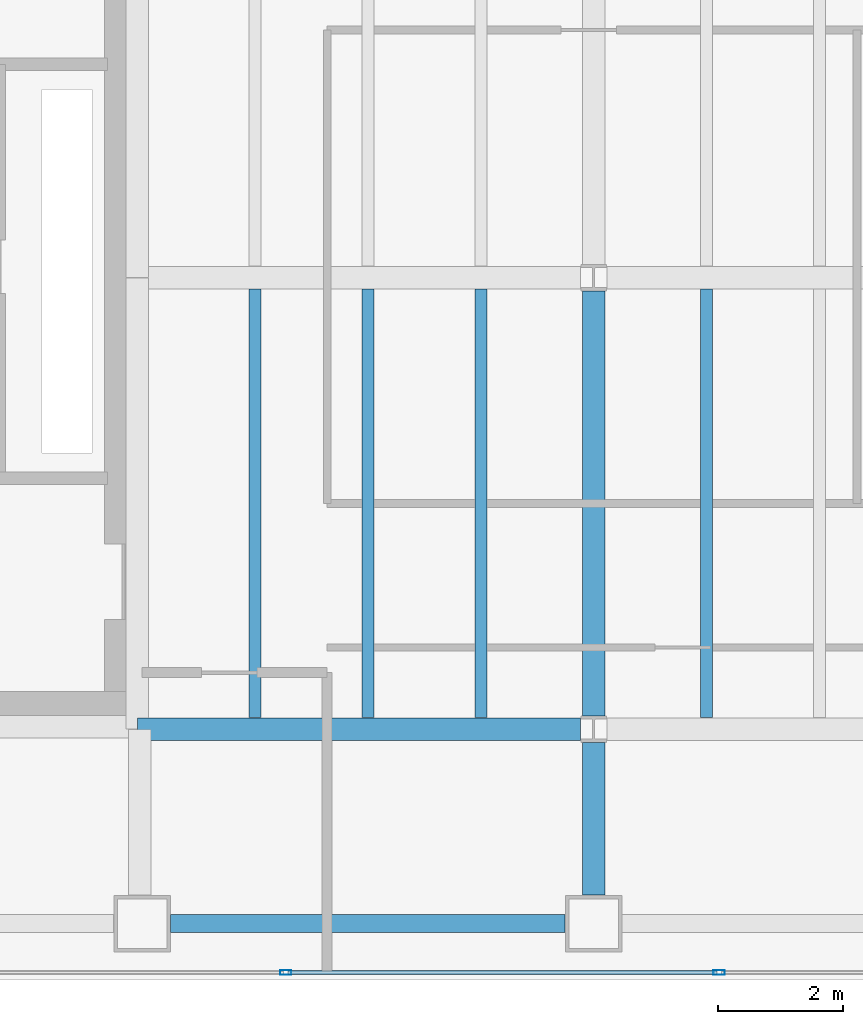
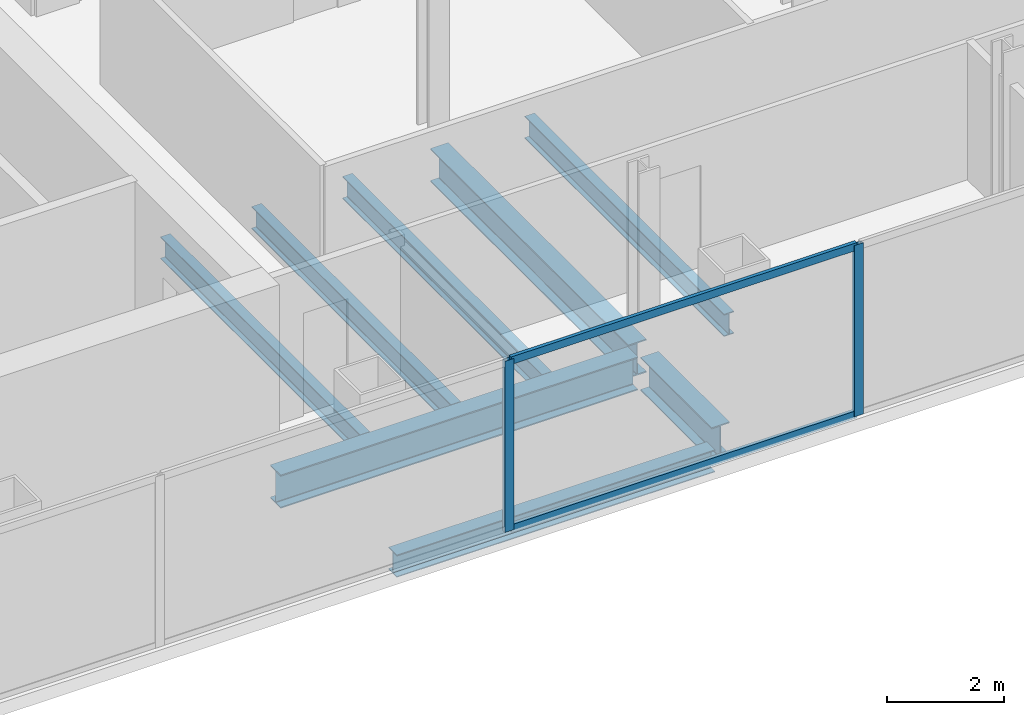
# One storey, part 4 of 24: 8 beams, 4 members, 1 element without a shape of its own.
"""IFC4 building model written with IfcOpenShell, lengths in metres."""

from ifc_helpers import new_model, si_unit, direction, frame, origin, origin_2d, place, context, subcontext, project, spatial, hollow_rectangle, i_section, extrude, material, material_profile, profile_set, type_object, element, aggregate, save


model = new_model("IFC4")

# Units and contexts
model_context = context("Model", 3, precision=1e-05, world=origin(), true_north=direction((0.0, 1.0)))
body_context = subcontext(model_context, "Body", "Model", "MODEL_VIEW")
ifc_project = project(units=[si_unit("LENGTHUNIT", "METRE"), si_unit("AREAUNIT", "SQUARE_METRE"), si_unit("VOLUMEUNIT", "CUBIC_METRE"), si_unit("PLANEANGLEUNIT", "RADIAN"), si_unit("MASSUNIT", "GRAM", prefix="KILO")], contexts=[model_context])

# Site, building, storey
site_placement = place(None, origin())
site = spatial("IfcSite", under=ifc_project, at=site_placement, CompositionType="ELEMENT")
building_placement = place(site_placement, origin())
building = spatial("IfcBuilding", under=site, at=building_placement, Name="Cobrela Telecom Tower", CompositionType="ELEMENT")
storey_placement = place(building_placement, frame((0.0, 0.0, 121.449951171875)))
storey = spatial("IfcBuildingStorey", under=building, at=storey_placement, Name="L30", CompositionType="ELEMENT", Elevation=121.449951171875)

# Beams
ifc_material_1 = material(Name="Steel ASTM A992 Grade 50", Category="steel")
ifc_material_profile_1 = material_profile(ifc_material_1, i_section(OverallWidth=0.35595703125, OverallDepth=0.696044921875, WebThickness=0.015380859375, FlangeThickness=0.024658203125, FilletRadius=0.01806640625, at=origin_2d()), Name="W27X146")
ifc_profile_set_1 = profile_set([ifc_material_profile_1], Name="Steel ASTM A992 Grade 50")
beam_type_1 = type_object("IfcBeamType", Name="BM-GIRD-05", PredefinedType="USERDEFINED", material=ifc_profile_set_1)
beam_1_placement = place(storey_placement, frame((14.324951171875, 7.199951171875, -0.617919921875), z_axis=(1.0, 0.0, 0.0), x_axis=(0.0, 1.0, 0.0)))
element("IfcBeam", 1, at=beam_1_placement, inside=storey, type_object=beam_type_1, Name="L30 Primary Girder X08", ObjectType="GIRDER", PredefinedType="USERDEFINED", context=body_context, shape_type="SweptSolid", body=[
    extrude(i_section(OverallWidth=0.35595703125, OverallDepth=0.696044921875, WebThickness=0.015380859375, FlangeThickness=0.024658203125, FilletRadius=0.01806640625, at=origin_2d()), origin(), (0.0, 0.0, 1.0), 7.0654296875),
])
beam_2_placement = place(storey_placement, frame((21.60009765625, 4.554931640625, -0.617919921875), z_axis=(0.0, 1.0, 0.0), x_axis=(-1.0, 0.0, 0.0)))
element("IfcBeam", 2, at=beam_2_placement, inside=storey, type_object=beam_type_1, Name="L30 Primary Girder Y39", ObjectType="GIRDER", PredefinedType="USERDEFINED", context=body_context, shape_type="SweptSolid", body=[
    extrude(i_section(OverallWidth=0.35595703125, OverallDepth=0.696044921875, WebThickness=0.015380859375, FlangeThickness=0.024658203125, FilletRadius=0.01806640625, at=origin_2d()), origin(), (0.0, 0.0, 1.0), 2.435546875),
])
beam_3_placement = place(storey_placement, frame((21.60009765625, 7.409423828125, -0.617919921875), z_axis=(0.0, 1.0, 0.0), x_axis=(-1.0, 0.0, 0.0)))
element("IfcBeam", 3, at=beam_3_placement, inside=storey, type_object=beam_type_1, Name="L30 Primary Girder Y40", ObjectType="GIRDER", PredefinedType="USERDEFINED", context=body_context, shape_type="SweptSolid", body=[
    extrude(i_section(OverallWidth=0.35595703125, OverallDepth=0.696044921875, WebThickness=0.015380859375, FlangeThickness=0.024658203125, FilletRadius=0.01806640625, at=origin_2d()), origin(), (0.0, 0.0, 1.0), 6.781005859375),
])
ifc_material_profile_2 = material_profile(ifc_material_1, i_section(OverallWidth=0.193115234375, OverallDepth=0.467041015625, WebThickness=0.011474609375, FlangeThickness=0.01904296875, FilletRadius=0.012939453125, at=origin_2d()), Name="W18X65")
ifc_profile_set_2 = profile_set([ifc_material_profile_2], Name="Steel ASTM A992 Grade 50")
beam_type_2 = type_object("IfcBeamType", Name="BM-JOIST-03", PredefinedType="JOIST", material=ifc_profile_set_2)
for number, where, z_axis, x_axis, name in (
    (4, (16.199951171875, 7.383056640625, -0.50341796875), (0.0, 1.0, 0.0), (-1.0, 0.0, 0.0), "L30 Secondary Composite Floor Beam J04"),
    (5, (18.0, 7.383056640625, -0.50341796875), (0.0, 1.0, 0.0), (-1.0, 0.0, 0.0), "L30 Secondary Composite Floor Beam J09"),
    (6, (19.800048828125, 7.383056640625, -0.50341796875), (0.0, 1.0, 0.0), (-1.0, 0.0, 0.0), "L30 Secondary Composite Floor Beam J14"),
    (7, (23.39990234375, 7.383056640625, -0.50341796875), (0.0, 1.0, 0.0), (-1.0, 0.0, 0.0), "L30 Secondary Composite Floor Beam J19"),
):
    element("IfcBeam", number, at=place(storey_placement, frame(where, z_axis=z_axis, x_axis=x_axis)), inside=storey, type_object=beam_type_2, Name=name, PredefinedType="JOIST", context=body_context, shape_type="SweptSolid", body=[
        extrude(i_section(OverallWidth=0.193115234375, OverallDepth=0.467041015625, WebThickness=0.011474609375, FlangeThickness=0.01904296875, FilletRadius=0.012939453125, at=origin_2d()), origin(), (0.0, 0.0, 1.0), 6.833984375),
    ])
ifc_material_profile_3 = material_profile(ifc_material_1, i_section(OverallWidth=0.281982421875, OverallDepth=0.467041015625, WebThickness=0.01220703125, FlangeThickness=0.01953125, FilletRadius=0.012939453125, at=origin_2d()), Name="W18X86")
ifc_profile_set_3 = profile_set([ifc_material_profile_3], Name="Steel ASTM A992 Grade 50")
beam_type_3 = type_object("IfcBeamType", Name="BM-SPAND-04", PredefinedType="SPANDREL", material=ifc_profile_set_3)
beam_4_placement = place(storey_placement, frame((14.85498046875, 4.10009765625, -0.50341796875), z_axis=(1.0, 0.0, 0.0), x_axis=(0.0, 1.0, 0.0)))
element("IfcBeam", 8, at=beam_4_placement, inside=storey, type_object=beam_type_3, Name="L30 Perimeter Spandrel X02", PredefinedType="SPANDREL", context=body_context, shape_type="SweptSolid", body=[
    extrude(i_section(OverallWidth=0.281982421875, OverallDepth=0.467041015625, WebThickness=0.01220703125, FlangeThickness=0.01953125, FilletRadius=0.012939453125, at=origin_2d()), origin(), (0.0, 0.0, 1.0), 6.2900390625),
])

# Curtain wall, members
ifc_material_2 = material(Name="Anodized Bronze Aluminium 6063-T6", Category="aluminium")
curtain_wall_type = type_object("IfcCurtainWallType", Name="CW-SYS-TEL", PredefinedType="USERDEFINED", material=ifc_material_2)
curtain_wall_placement = place(storey_placement, origin())
curtain_wall = element("IfcCurtainWall", 9, at=curtain_wall_placement, inside=storey, type_object=curtain_wall_type, Name="L30 Unitised Bronze Curtain Wall 17", ObjectType="UNITISED CURTAIN WALL", PredefinedType="USERDEFINED")
ifc_material_profile_4 = material_profile(ifc_material_2, hollow_rectangle(XDim=0.074951171875, YDim=0.179931640625, WallThickness=0.00390625, at=origin_2d()), Name="ALU 75x180x4")
ifc_profile_set_4 = profile_set([ifc_material_profile_4], Name="Anodized Bronze Aluminium 6063-T6")
member_type_1 = type_object("IfcMemberType", Name="CW-SYS-TEL-MUL", PredefinedType="MULLION", material=ifc_profile_set_4)
member_1_placement = place(storey_placement, frame((23.60009765625, 3.320068359375, 0.0), z_axis=(0.0, 0.0, 1.0), x_axis=(0.0, -1.0, 0.0)))
member_1 = element("IfcMember", 10, at=member_1_placement, type_object=member_type_1, Name="CW-TEL mullion 4", PredefinedType="MULLION", context=body_context, shape_type="SweptSolid", body=[
    extrude(hollow_rectangle(XDim=0.074951171875, YDim=0.179931640625, WallThickness=0.00390625, at=origin_2d()), origin(), (0.0, 0.0, 1.0), 3.580078125),
])
member_2_placement = place(storey_placement, frame((16.68994140625, 3.320068359375, 0.0), z_axis=(0.0, 0.0, 1.0), x_axis=(0.0, -1.0, 0.0)))
member_2 = element("IfcMember", 11, at=member_2_placement, type_object=member_type_1, Name="CW-TEL mullion 5", PredefinedType="MULLION", context=body_context, shape_type="SweptSolid", body=[
    extrude(hollow_rectangle(XDim=0.074951171875, YDim=0.179931640625, WallThickness=0.00390625, at=origin_2d()), origin(), (0.0, 0.0, 1.0), 3.580078125),
])
ifc_material_profile_5 = material_profile(ifc_material_2, hollow_rectangle(XDim=0.070068359375, YDim=0.159912109375, WallThickness=0.00390625, at=origin_2d()), Name="ALU 70x160x4")
ifc_profile_set_5 = profile_set([ifc_material_profile_5], Name="Anodized Bronze Aluminium 6063-T6")
member_type_2 = type_object("IfcMemberType", Name="CW-SYS-TEL-TRN", PredefinedType="USERDEFINED", material=ifc_profile_set_5)
member_3_placement = place(storey_placement, frame((23.5625, 3.320068359375, 0.03515625), z_axis=(-1.0, 0.0, 0.0), x_axis=(0.0, -1.0, 0.0)))
member_3 = element("IfcMember", 12, at=member_3_placement, type_object=member_type_2, Name="CW-TEL transom 4.1", ObjectType="TRANSOM", PredefinedType="USERDEFINED", context=body_context, shape_type="SweptSolid", body=[
    extrude(hollow_rectangle(XDim=0.070068359375, YDim=0.159912109375, WallThickness=0.00390625, at=origin_2d()), origin(), (0.0, 0.0, 1.0), 6.8349609375),
])
member_4_placement = place(storey_placement, frame((23.5625, 3.320068359375, 3.545166015625), z_axis=(-1.0, 0.0, 0.0), x_axis=(0.0, -1.0, 0.0)))
member_4 = element("IfcMember", 13, at=member_4_placement, type_object=member_type_2, Name="CW-TEL transom 4.2", ObjectType="TRANSOM", PredefinedType="USERDEFINED", context=body_context, shape_type="SweptSolid", body=[
    extrude(hollow_rectangle(XDim=0.070068359375, YDim=0.159912109375, WallThickness=0.00390625, at=origin_2d()), origin(), (0.0, 0.0, 1.0), 6.8349609375),
])
aggregate(curtain_wall, [member_1, member_2, member_3, member_4])

save(model, "model.ifc")
